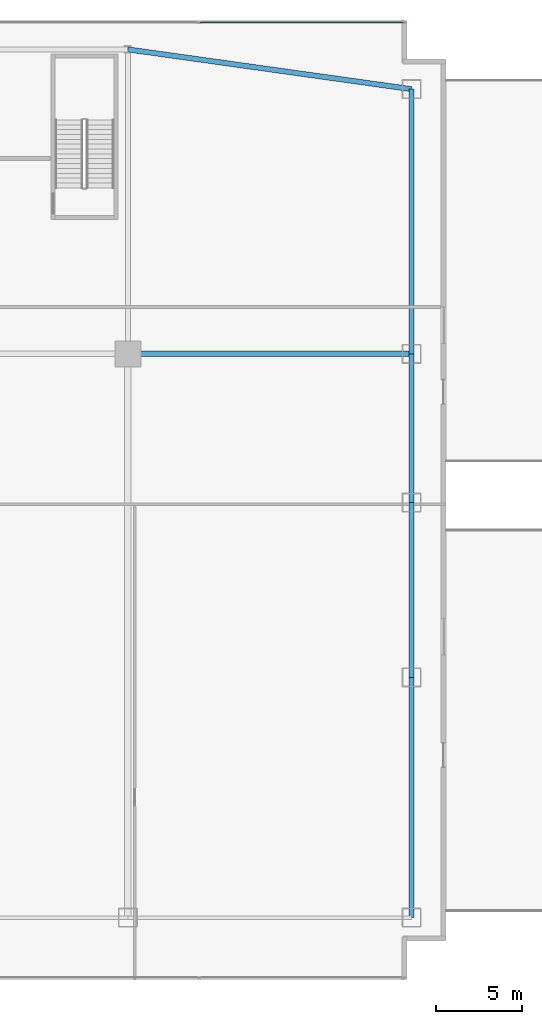
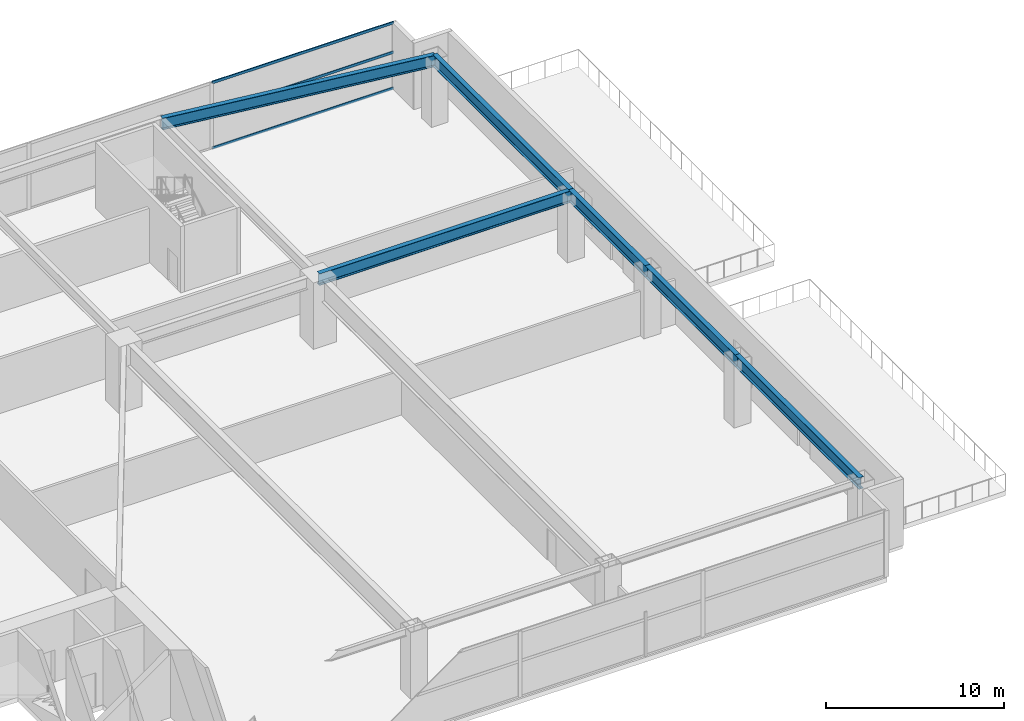
# One storey, part 22 of 30: 6 beams, 3 members, 1 element without a shape of its own.
"""IFC4 building model written with IfcOpenShell, lengths in metres."""

from ifc_helpers import new_model, si_unit, direction, frame, origin, origin_2d, place, context, subcontext, project, spatial, hollow_rectangle, i_section, extrude, material, layer, layer_set, material_profile, profile_set, type_object, element, aggregate, save


model = new_model("IFC4")

# Units and contexts
model_context = context("Model", 3, precision=1e-05, world=origin(), true_north=direction((0.0, 1.0)))
body_context = subcontext(model_context, "Body", "Model", "MODEL_VIEW")
ifc_project = project(units=[si_unit("LENGTHUNIT", "METRE"), si_unit("AREAUNIT", "SQUARE_METRE"), si_unit("VOLUMEUNIT", "CUBIC_METRE"), si_unit("PLANEANGLEUNIT", "RADIAN"), si_unit("MASSUNIT", "GRAM", prefix="KILO")], contexts=[model_context])

# Site, building, storey
site_placement = place(None, origin())
site = spatial("IfcSite", under=ifc_project, at=site_placement, CompositionType="ELEMENT")
building_placement = place(site_placement, origin())
building = spatial("IfcBuilding", under=site, at=building_placement, Name="Calvorn Quay Hotel", CompositionType="ELEMENT")
storey_placement = place(building_placement, frame((0.0, 0.0, 17.0)))
storey = spatial("IfcBuildingStorey", under=building, at=storey_placement, Name="L03", CompositionType="ELEMENT", Elevation=17.0)

# Beams
ifc_material_1 = material(Name="Steel Q390GJC", Category="steel")
ifc_material_profile_1 = material_profile(ifc_material_1, i_section(OverallWidth=0.300048828125, OverallDepth=0.800048828125, WebThickness=0.013916015625, FlangeThickness=0.02587890625, FilletRadius=0.02392578125, at=origin_2d()), Name="HN800x300x14x26")
ifc_profile_set_1 = profile_set([ifc_material_profile_1], Name="Steel Q390GJC")
beam_type = type_object("IfcBeamType", Name="BM-GIRD-POD", PredefinedType="BEAM", material=ifc_profile_set_1)
beam_1_placement = place(storey_placement, frame((74.0, 3.60009765625, 4.14990234375), z_axis=(0.0, 1.0, 0.0), x_axis=(-1.0, 0.0, 0.0)))
element("IfcBeam", 1, at=beam_1_placement, inside=storey, type_object=beam_type, Name="Beam BG-L03-PE1", PredefinedType="BEAM", context=body_context, shape_type="SweptSolid", body=[
    extrude(i_section(OverallWidth=0.300048828125, OverallDepth=0.800048828125, WebThickness=0.013916015625, FlangeThickness=0.02587890625, FilletRadius=0.02392578125, at=origin_2d()), origin(), (0.0, 0.0, 1.0), 13.89990234375),
])
beam_2_placement = place(storey_placement, frame((74.0, 17.5, 4.14990234375), z_axis=(0.0, 1.0, 0.0), x_axis=(-1.0, 0.0, 0.0)))
element("IfcBeam", 2, at=beam_2_placement, inside=storey, type_object=beam_type, Name="Beam BG-L03-PE2", PredefinedType="BEAM", context=body_context, shape_type="SweptSolid", body=[
    extrude(i_section(OverallWidth=0.300048828125, OverallDepth=0.800048828125, WebThickness=0.013916015625, FlangeThickness=0.02587890625, FilletRadius=0.02392578125, at=origin_2d()), origin(), (0.0, 0.0, 1.0), 10.10009765625),
])
beam_3_placement = place(storey_placement, frame((74.0, 27.60009765625, 4.14990234375), z_axis=(0.0, 1.0, 0.0), x_axis=(-1.0, 0.0, 0.0)))
element("IfcBeam", 3, at=beam_3_placement, inside=storey, type_object=beam_type, Name="Beam BG-L03-PE3", PredefinedType="BEAM", context=body_context, shape_type="SweptSolid", body=[
    extrude(i_section(OverallWidth=0.300048828125, OverallDepth=0.800048828125, WebThickness=0.013916015625, FlangeThickness=0.02587890625, FilletRadius=0.02392578125, at=origin_2d()), origin(), (0.0, 0.0, 1.0), 8.599853515625),
])
beam_4_placement = place(storey_placement, frame((74.0, 36.199951171875, 4.14990234375), z_axis=(0.0, 1.0, 0.0), x_axis=(-1.0, 0.0, 0.0)))
element("IfcBeam", 4, at=beam_4_placement, inside=storey, type_object=beam_type, Name="Beam BG-L03-PE4", PredefinedType="BEAM", context=body_context, shape_type="SweptSolid", body=[
    extrude(i_section(OverallWidth=0.300048828125, OverallDepth=0.800048828125, WebThickness=0.013916015625, FlangeThickness=0.02587890625, FilletRadius=0.02392578125, at=origin_2d()), origin(), (0.0, 0.0, 1.0), 15.300048828125),
])
beam_5_placement = place(storey_placement, frame((57.60009765625, 36.199951171875, 4.14990234375), z_axis=(1.0, 0.0, 0.0), x_axis=(0.0, 1.0, 0.0)))
element("IfcBeam", 5, at=beam_5_placement, inside=storey, type_object=beam_type, Name="Beam BG-L03-PN3", PredefinedType="BEAM", context=body_context, shape_type="SweptSolid", body=[
    extrude(i_section(OverallWidth=0.300048828125, OverallDepth=0.800048828125, WebThickness=0.013916015625, FlangeThickness=0.02587890625, FilletRadius=0.02392578125, at=origin_2d()), origin(), (0.0, 0.0, 1.0), 16.39990234375),
])
beam_6_placement = place(storey_placement, frame((57.60009765625, 53.800048828125, 4.14990234375), z_axis=(0.990308033684, -0.138888438761, 0.0), x_axis=(0.138888438761, 0.990308033684, 0.0)))
element("IfcBeam", 6, at=beam_6_placement, inside=storey, type_object=beam_type, Name="Beam BG-L03-PN7", PredefinedType="BEAM", context=body_context, shape_type="SweptSolid", body=[
    extrude(i_section(OverallWidth=0.300048828125, OverallDepth=0.800048828125, WebThickness=0.013916015625, FlangeThickness=0.02587890625, FilletRadius=0.02392578125, at=origin_2d()), origin(), (0.0, 0.0, 1.0), 16.560302734375),
])

# Curtain wall, members
ifc_material_2 = material(Name="Pale Anodised Aluminium and Low-E Glass", Category="aluminium")
ifc_layer = layer(ifc_material_2, 0.219970703125)
ifc_layer_set = layer_set([ifc_layer], Name="CW-SYS-POD")
curtain_wall_type = type_object("IfcCurtainWallType", Name="CW-SYS-POD", PredefinedType="NOTDEFINED", material=ifc_layer_set)
curtain_wall_placement = place(storey_placement, origin())
curtain_wall = element("IfcCurtainWall", 7, at=curtain_wall_placement, inside=storey, type_object=curtain_wall_type, Name="Podium Curtain Wall L03-N1", PredefinedType="NOTDEFINED")
ifc_material_3 = material(Name="Pale Anodised Aluminium 6063-T6", Category="aluminium")
ifc_material_profile_2 = material_profile(ifc_material_3, hollow_rectangle(XDim=0.070068359375, YDim=0.179931640625, WallThickness=0.00390625, at=origin_2d()), Name="ALU-T180x70x4")
ifc_profile_set_2 = profile_set([ifc_material_profile_2], Name="Pale Anodised Aluminium 6063-T6")
member_type = type_object("IfcMemberType", Name="CW-SYS-POD-TRN", PredefinedType="USERDEFINED", material=ifc_profile_set_2)
member_1_placement = place(storey_placement, frame((61.763427734375, 55.35009765625, 0.030029296875), z_axis=(1.0, 0.0, 0.0), x_axis=(0.0, 1.0, 0.0)))
member_1 = element("IfcMember", 8, at=member_1_placement, type_object=member_type, Name="CW-L03-N1 transom 6.1", ObjectType="TRANSOM", PredefinedType="USERDEFINED", context=body_context, shape_type="SweptSolid", body=[
    extrude(hollow_rectangle(XDim=0.070068359375, YDim=0.179931640625, WallThickness=0.00390625, at=origin_2d()), origin(), (0.0, 0.0, 1.0), 11.776611328125),
])
member_2_placement = place(storey_placement, frame((61.763427734375, 55.35009765625, 2.5), z_axis=(1.0, 0.0, 0.0), x_axis=(0.0, 1.0, 0.0)))
member_2 = element("IfcMember", 9, at=member_2_placement, type_object=member_type, Name="CW-L03-N1 transom 6.2", ObjectType="TRANSOM", PredefinedType="USERDEFINED", context=body_context, shape_type="SweptSolid", body=[
    extrude(hollow_rectangle(XDim=0.070068359375, YDim=0.179931640625, WallThickness=0.00390625, at=origin_2d()), origin(), (0.0, 0.0, 1.0), 11.776611328125),
])
member_3_placement = place(storey_placement, frame((61.763427734375, 55.35009765625, 4.52001953125), z_axis=(1.0, 0.0, 0.0), x_axis=(0.0, 1.0, 0.0)))
member_3 = element("IfcMember", 10, at=member_3_placement, type_object=member_type, Name="CW-L03-N1 transom 6.3", ObjectType="TRANSOM", PredefinedType="USERDEFINED", context=body_context, shape_type="SweptSolid", body=[
    extrude(hollow_rectangle(XDim=0.070068359375, YDim=0.179931640625, WallThickness=0.00390625, at=origin_2d()), origin(), (0.0, 0.0, 1.0), 11.776611328125),
])
aggregate(curtain_wall, [member_1, member_2, member_3])

save(model, "model.ifc")
